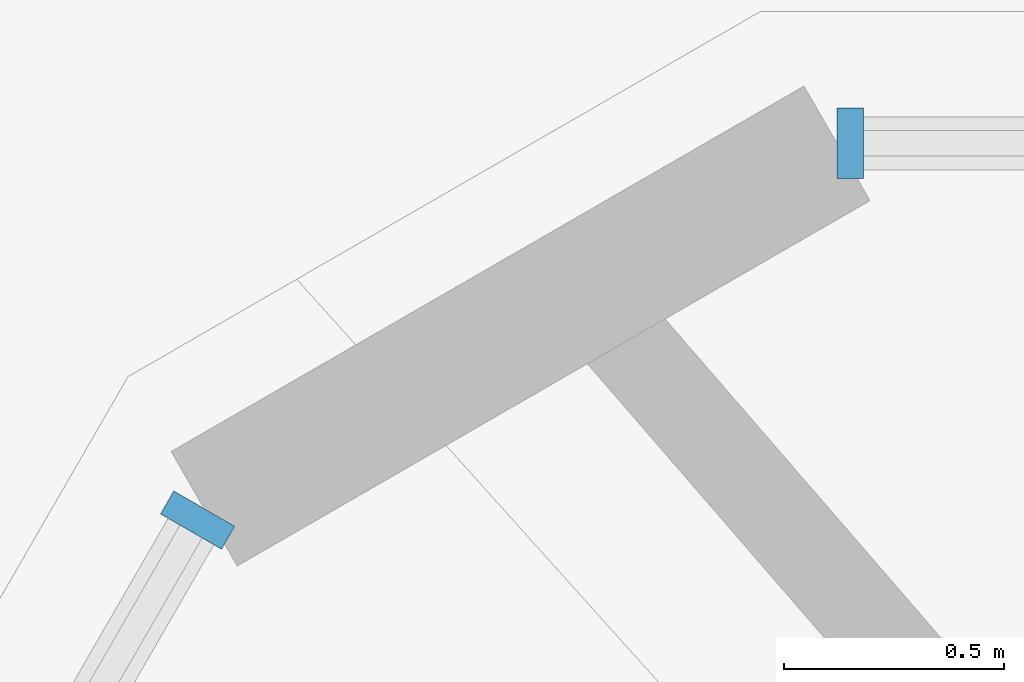
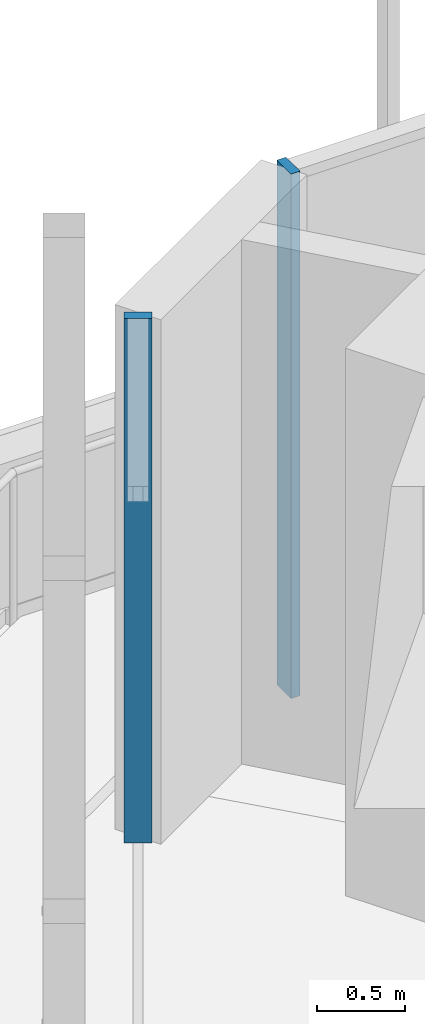
# One storey, part 63 of 127: 2 members, 2 elements without a shape of their own.
"""IFC4 building model written with IfcOpenShell, lengths in metres."""

from ifc_helpers import new_model, si_unit, direction, frame, origin, origin_2d, place, context, subcontext, project, spatial, rectangle, extrude, material, material_profile, profile_set, type_object, element, aggregate, save


model = new_model("IFC4")

# Units and contexts
model_context = context("Model", 3, precision=1e-05, world=origin(), true_north=direction((0.0, 1.0)))
body_context = subcontext(model_context, "Body", "Model", "MODEL_VIEW")
ifc_project = project(units=[si_unit("LENGTHUNIT", "METRE"), si_unit("AREAUNIT", "SQUARE_METRE"), si_unit("VOLUMEUNIT", "CUBIC_METRE"), si_unit("PLANEANGLEUNIT", "RADIAN"), si_unit("MASSUNIT", "GRAM", prefix="KILO")], contexts=[model_context])

# Site, building, storey
site_placement = place(None, origin())
site = spatial("IfcSite", under=ifc_project, at=site_placement, CompositionType="ELEMENT")
building_placement = place(site_placement, origin())
building = spatial("IfcBuilding", under=site, at=building_placement, Name="Sandreach Pilgrim Tower", CompositionType="ELEMENT")
storey_placement = place(building_placement, frame((0.0, 0.0, 257.0)))
storey = spatial("IfcBuildingStorey", under=building, at=storey_placement, Name="L64", CompositionType="ELEMENT", Elevation=257.0)

# Curtain wall, member
ifc_material_1 = material(Name="Aluminium framed curtain wall", Category="aluminium")
curtain_wall_type = type_object("IfcCurtainWallType", Name="Suite tower curtain wall", PredefinedType="NOTDEFINED", material=ifc_material_1)
curtain_wall_1_placement = place(storey_placement, origin())
curtain_wall_1 = element("IfcCurtainWall", 1, at=curtain_wall_1_placement, inside=storey, type_object=curtain_wall_type, Name="CW-4 L64 N", PredefinedType="NOTDEFINED")
ifc_material_2 = material(Name="Aluminium extrusion", Category="aluminium")
ifc_material_profile = material_profile(ifc_material_2, rectangle(XDim=0.06005859375, YDim=0.159912109375, at=origin_2d()), Name="CW-4M 60X160")
ifc_profile_set = profile_set([ifc_material_profile], Name="Aluminium extrusion")
member_type = type_object("IfcMemberType", Name="CW-4 mullion", PredefinedType="MULLION", material=ifc_profile_set)
member_1_placement = place(storey_placement, frame((-16.268310546875, 19.826416015625, 0.0), z_axis=(0.0, 0.0, 1.0), x_axis=(1.0, 0.0, 0.0)))
member_1 = element("IfcMember", 2, at=member_1_placement, type_object=member_type, Name="CW-4 mullion 1", PredefinedType="MULLION", context=body_context, shape_type="SweptSolid", body=[
    extrude(rectangle(XDim=0.06005859375, YDim=0.159912109375, at=origin_2d()), origin(), (0.0, 0.0, 1.0), 3.639892578125),
])
aggregate(curtain_wall_1, [member_1])

curtain_wall_2_placement = place(storey_placement, origin())
curtain_wall_2 = element("IfcCurtainWall", 3, at=curtain_wall_2_placement, inside=storey, type_object=curtain_wall_type, Name="CW-4 L64 NW", PredefinedType="NOTDEFINED")
member_2_placement = place(storey_placement, frame((-17.7509765625, 18.970458984375, 0.0), z_axis=(0.0, 0.0, 1.0), x_axis=(0.5, 0.866025403784, 0.0)))
member_2 = element("IfcMember", 4, at=member_2_placement, type_object=member_type, Name="CW-4 mullion 5", PredefinedType="MULLION", context=body_context, shape_type="SweptSolid", body=[
    extrude(rectangle(XDim=0.06005859375, YDim=0.159912109375, at=origin_2d()), origin(), (0.0, 0.0, 1.0), 3.639892578125),
])
aggregate(curtain_wall_2, [member_2])

save(model, "model.ifc")
